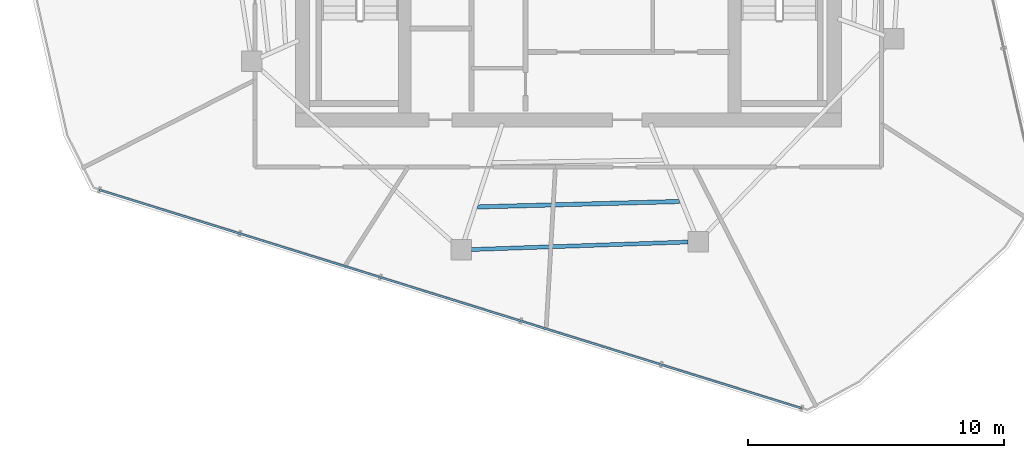
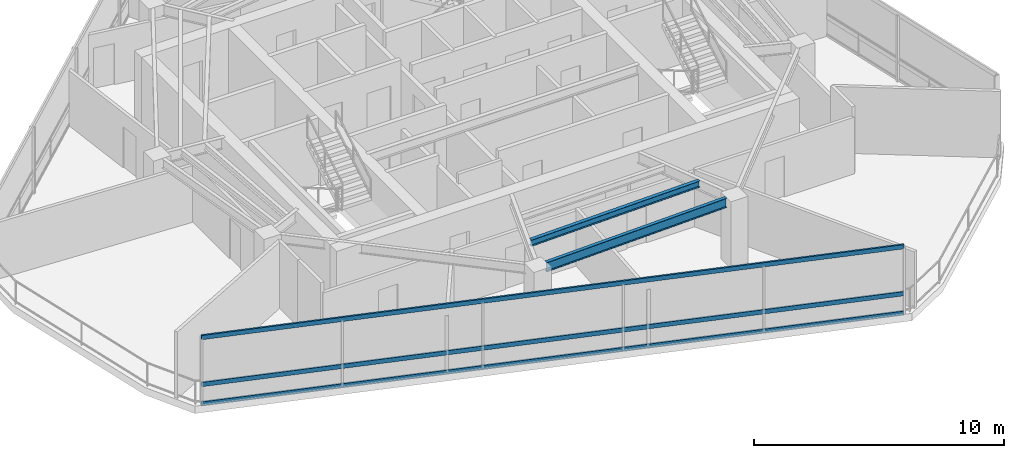
# One storey, part 3 of 19: 3 members, 2 beams, 1 element without a shape of its own.
"""IFC4 building model written with IfcOpenShell, lengths in metres."""

from ifc_helpers import new_model, si_unit, direction, frame, origin, origin_2d, place, context, subcontext, project, spatial, hollow_rectangle, i_section, extrude, material, layer, layer_set, material_profile, profile_set, type_object, element, aggregate, save


model = new_model("IFC4")

# Units and contexts
model_context = context("Model", 3, precision=1e-05, world=origin(), true_north=direction((0.0, 1.0)))
body_context = subcontext(model_context, "Body", "Model", "MODEL_VIEW")
ifc_project = project(units=[si_unit("LENGTHUNIT", "METRE"), si_unit("AREAUNIT", "SQUARE_METRE"), si_unit("VOLUMEUNIT", "CUBIC_METRE"), si_unit("PLANEANGLEUNIT", "RADIAN"), si_unit("MASSUNIT", "GRAM", prefix="KILO")], contexts=[model_context])

# Site, building, storey
site_placement = place(None, origin())
site = spatial("IfcSite", under=ifc_project, at=site_placement, CompositionType="ELEMENT")
building_placement = place(site_placement, origin())
building = spatial("IfcBuilding", under=site, at=building_placement, Name="Qarnah Convention Tower", CompositionType="ELEMENT")
storey_placement = place(building_placement, frame((0.0, 0.0, 228.300048828125)))
storey = spatial("IfcBuildingStorey", under=building, at=storey_placement, Name="L61", CompositionType="ELEMENT", Elevation=228.300048828125)

# Beams
ifc_material_1 = material(Name="Structural steel S355JR", Category="steel")
ifc_material_profile_1 = material_profile(ifc_material_1, i_section(OverallWidth=0.166015625, OverallDepth=0.31201171875, WebThickness=0.007080078125, FlangeThickness=0.010986328125, at=origin_2d()), Name="W310X45")
ifc_profile_set_1 = profile_set([ifc_material_profile_1], Name="Structural steel S355JR")
beam_type_1 = type_object("IfcBeamType", Name="BM-JST-W310", PredefinedType="JOIST", material=ifc_profile_set_1)
beam_1_placement = place(storey_placement, frame((33.64794921875, 15.194091796875, 3.083984375), z_axis=(0.999637377736, 0.026927922937, 0.0), x_axis=(-0.026927922937, 0.999637377736, 0.0)))
element("IfcBeam", 1, at=beam_1_placement, inside=storey, type_object=beam_type_1, Name="L61 joist BM-L61-SJST-07", PredefinedType="JOIST", context=body_context, shape_type="SweptSolid", body=[
    extrude(i_section(OverallWidth=0.166015625, OverallDepth=0.31201171875, WebThickness=0.007080078125, FlangeThickness=0.010986328125, at=origin_2d()), origin(), (0.0, 0.0, 1.0), 7.906005859375),
])
ifc_material_profile_2 = material_profile(ifc_material_1, i_section(OverallWidth=0.154052734375, OverallDepth=0.4599609375, WebThickness=0.009033203125, FlangeThickness=0.014892578125, at=origin_2d()), Name="W460X68")
ifc_profile_set_2 = profile_set([ifc_material_profile_2], Name="Structural steel S355JR")
beam_type_2 = type_object("IfcBeamType", Name="BM-SPN-W460B", PredefinedType="SPANDREL", material=ifc_profile_set_2)
beam_2_placement = place(storey_placement, frame((33.403076171875, 13.527099609375, 3.010009765625), z_axis=(0.999392187652, 0.034860511467, 0.0), x_axis=(-0.034860511467, 0.999392187652, 0.0)))
element("IfcBeam", 2, at=beam_2_placement, inside=storey, type_object=beam_type_2, Name="L61 spandrel BM-L61-SPN-07", PredefinedType="SPANDREL", context=body_context, shape_type="SweptSolid", body=[
    extrude(i_section(OverallWidth=0.154052734375, OverallDepth=0.4599609375, WebThickness=0.009033203125, FlangeThickness=0.014892578125, at=origin_2d()), origin(), (0.0, 0.0, 1.0), 8.488037109375),
])

# Curtain wall, members
ifc_material_2 = material(Name="Tempered Low-E dark glass", Category="glass")
ifc_layer = layer(ifc_material_2, 0.176025390625)
ifc_layer_set = layer_set([ifc_layer], Name="Tempered Low-E dark glass")
curtain_wall_type = type_object("IfcCurtainWallType", Name="CWS-05", PredefinedType="NOTDEFINED", material=ifc_layer_set)
curtain_wall_placement = place(storey_placement, origin())
curtain_wall = element("IfcCurtainWall", 3, at=curtain_wall_placement, inside=storey, type_object=curtain_wall_type, Name="L61 unitised curtain wall CW-L61-F3", PredefinedType="NOTDEFINED")
ifc_material_3 = material(Name="Black anodised aluminium", Category="aluminium")
ifc_material_profile_3 = material_profile(ifc_material_3, hollow_rectangle(XDim=0.080078125, YDim=0.2099609375, WallThickness=0.0048828125, at=origin_2d()), Name="TRN-80X210")
ifc_profile_set_3 = profile_set([ifc_material_profile_3], Name="Black anodised aluminium")
member_type = type_object("IfcMemberType", Name="TRN-T5", PredefinedType="USERDEFINED", material=ifc_profile_set_3)
member_1_placement = place(storey_placement, frame((46.323974609375, 7.31591796875, 0.0), z_axis=(-0.954870044855, 0.297023900451, 0.0), x_axis=(-0.297023900451, -0.954870044855, 0.0)))
member_1 = element("IfcMember", 4, at=member_1_placement, type_object=member_type, Name="CW-L61-F3 transom 1", ObjectType="TRANSOM", PredefinedType="USERDEFINED", context=body_context, shape_type="SweptSolid", body=[
    extrude(hollow_rectangle(XDim=0.080078125, YDim=0.2099609375, WallThickness=0.0048828125, at=origin_2d()), origin(), (0.0, 0.0, 1.0), 28.761962890625),
])
member_2_placement = place(storey_placement, frame((46.323974609375, 7.31591796875, 0.949951171875), z_axis=(-0.954870044855, 0.297023900451, 0.0), x_axis=(-0.297023900451, -0.954870044855, 0.0)))
member_2 = element("IfcMember", 5, at=member_2_placement, type_object=member_type, Name="CW-L61-F3 transom 2", ObjectType="TRANSOM", PredefinedType="USERDEFINED", context=body_context, shape_type="SweptSolid", body=[
    extrude(hollow_rectangle(XDim=0.080078125, YDim=0.2099609375, WallThickness=0.0048828125, at=origin_2d()), origin(), (0.0, 0.0, 1.0), 28.761962890625),
])
member_3_placement = place(storey_placement, frame((46.323974609375, 7.31591796875, 3.239990234375), z_axis=(-0.954870044855, 0.297023900451, 0.0), x_axis=(-0.297023900451, -0.954870044855, 0.0)))
member_3 = element("IfcMember", 6, at=member_3_placement, type_object=member_type, Name="CW-L61-F3 transom 3", ObjectType="TRANSOM", PredefinedType="USERDEFINED", context=body_context, shape_type="SweptSolid", body=[
    extrude(hollow_rectangle(XDim=0.080078125, YDim=0.2099609375, WallThickness=0.0048828125, at=origin_2d()), origin(), (0.0, 0.0, 1.0), 28.761962890625),
])
aggregate(curtain_wall, [member_1, member_2, member_3])

save(model, "model.ifc")
